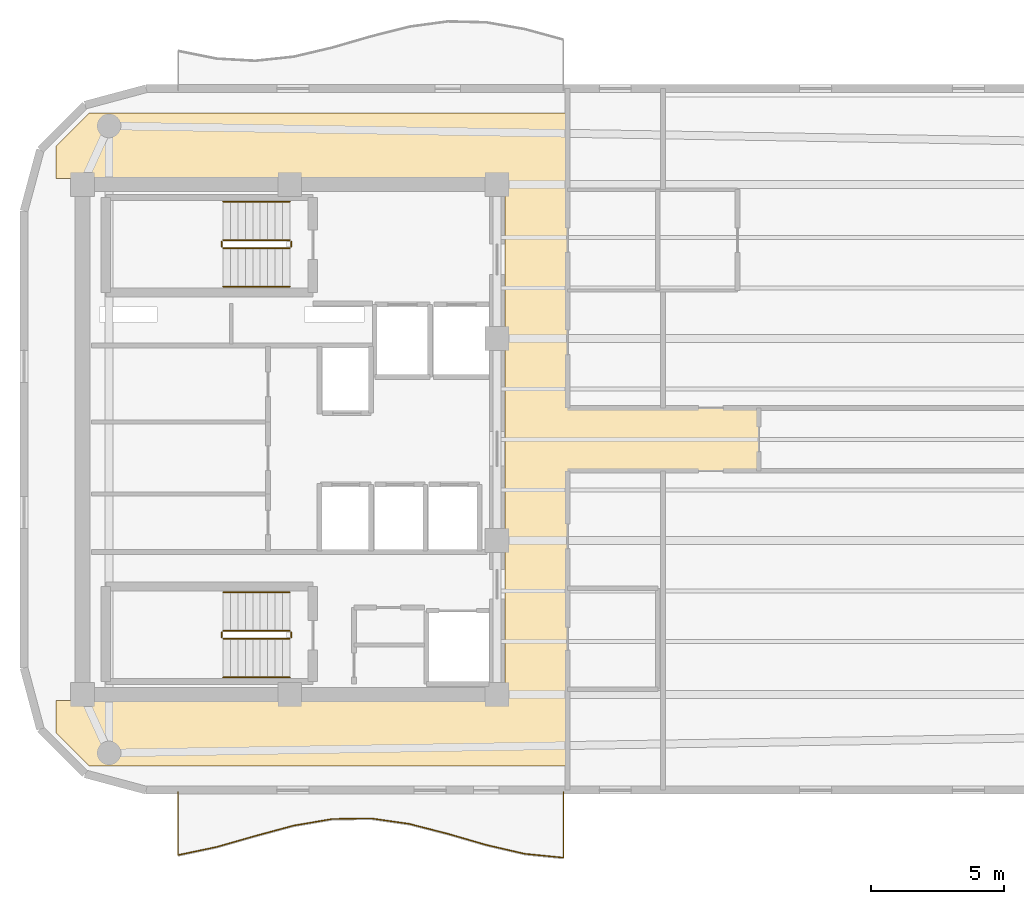
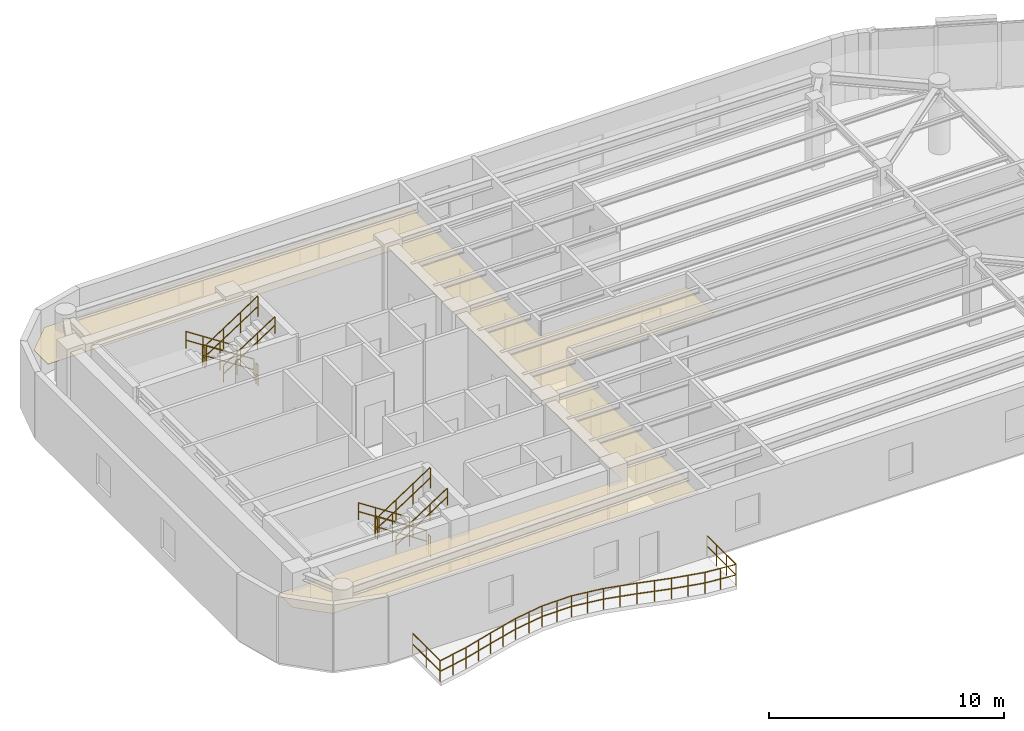
# One storey, part 12 of 13: 13 railings, 1 covering.
"""IFC4 building model written with IfcOpenShell, lengths in metres."""

from ifc_helpers import new_model, si_unit, direction, frame, origin, origin_2d, place, context, subcontext, project, spatial, polyline, circle, outline, extrude, material, layer, layer_set, type_object, element, save


model = new_model("IFC4")

# Units and contexts
model_context = context("Model", 3, precision=1e-05, world=origin(), true_north=direction((0.0, 1.0)))
body_context = subcontext(model_context, "Body", "Model", "MODEL_VIEW")
ifc_project = project(units=[si_unit("LENGTHUNIT", "METRE"), si_unit("AREAUNIT", "SQUARE_METRE"), si_unit("VOLUMEUNIT", "CUBIC_METRE"), si_unit("PLANEANGLEUNIT", "RADIAN"), si_unit("MASSUNIT", "GRAM", prefix="KILO")], contexts=[model_context])

# Site, building, storey
site_placement = place(None, origin())
site = spatial("IfcSite", under=ifc_project, at=site_placement, CompositionType="ELEMENT")
building_placement = place(site_placement, origin())
building = spatial("IfcBuilding", under=site, at=building_placement, Name="An Khanh Terracotta Commons", CompositionType="ELEMENT")
storey_placement = place(building_placement, frame((0.0, 0.0, 277.050048828125)))
storey = spatial("IfcBuildingStorey", under=building, at=storey_placement, Name="L72", CompositionType="ELEMENT", Elevation=277.050048828125)

# Covering
ifc_material_1 = material(Name="Perforated Mineral-Fibre Acoustic Tile")
ifc_layer = layer(ifc_material_1, 0.02001953125, Name="Perforated Mineral-Fibre Acoustic Tile")
ifc_layer_set = layer_set([ifc_layer], Name="Perforated Mineral-Fibre Acoustic Tile")
covering_type = type_object("IfcCoveringType", Name="CEIL-ACOUSTIC-18", PredefinedType="CEILING", material=ifc_layer_set)
covering_placement = place(storey_placement, frame((0.0, 0.0, 2.64990234375)))
element("IfcCovering", 1, at=covering_placement, inside=storey, type_object=covering_type, Name="L72 Corridor Ceiling", PredefinedType="CEILING", context=body_context, shape_type="SweptSolid", body=[
    extrude(outline(polyline([(21.84912109375, 11.719970703125), (20.60009765625, 12.968994140625), (20.60009765625, 14.179931640625), (37.5, 14.179931640625), (37.5, 33.820068359375), (20.60009765625, 33.820068359375), (20.60009765625, 35.031005859375), (21.84912109375, 36.280029296875), (37.5, 36.280029296875), (39.85009765625, 36.280029296875), (39.85009765625, 33.820068359375), (39.85009765625, 25.179931640625), (47.050048828125, 25.179931640625), (47.050048828125, 22.820068359375), (39.85009765625, 22.820068359375), (39.85009765625, 14.179931640625), (39.85009765625, 11.719970703125), (37.5, 11.719970703125), (21.84912109375, 11.719970703125)])), origin(), (0.0, 0.0, 1.0), 0.02001953125),
])

# Railings
ifc_material_2 = material(Name="Brushed Stainless Steel 316", Category="steel")
railing_type_1 = type_object("IfcRailingType", Name="RAIL-BALUSTRADE-1100", PredefinedType="BALUSTRADE", material=ifc_material_2)
railing_1_placement = place(storey_placement, frame((25.199951171875, 10.739990234375, 0.0)))
element("IfcRailing", 2, at=railing_1_placement, inside=storey, type_object=railing_type_1, Name="L72 S Wave Balcony Guard Balustrade", PredefinedType="BALUSTRADE", context=body_context, shape_type="SweptSolid", body=[
    extrude(circle(Radius=0.02392578125, at=origin_2d()), frame((0.0, 0.0, 1.076171875), z_axis=(0.0, -1.0, 0.0), x_axis=(1.0, 0.0, 0.0)), (0.0, 0.0, 1.0), 2.3798828125),
    extrude(circle(Radius=0.02392578125, at=origin_2d()), frame((0.0, 0.0, 0.52587890625), z_axis=(0.0, -1.0, 0.0), x_axis=(1.0, 0.0, 0.0)), (0.0, 0.0, 1.0), 2.3798828125),
    extrude(circle(Radius=0.02392578125, at=origin_2d()), frame((0.0, -2.3798828125, 1.076171875), z_axis=(0.978593469626, 0.20580286977, 0.0), x_axis=(-0.20580286977, 0.978593469626, 0.0)), (0.0, 0.0, 1.0), 1.481689453125),
    extrude(circle(Radius=0.02392578125, at=origin_2d()), frame((0.0, -2.3798828125, 0.52587890625), z_axis=(0.978593469626, 0.20580286977, 0.0), x_axis=(-0.20580286977, 0.978593469626, 0.0)), (0.0, 0.0, 1.0), 1.481689453125),
    extrude(circle(Radius=0.02392578125, at=origin_2d()), frame((1.449951171875, -2.074951171875, 1.076171875), z_axis=(0.961572802146, 0.274550079535, 0.0), x_axis=(-0.274550079535, 0.961572802146, 0.0)), (0.0, 0.0, 1.0), 1.508056640625),
    extrude(circle(Radius=0.02392578125, at=origin_2d()), frame((1.449951171875, -2.074951171875, 0.52587890625), z_axis=(0.961572802146, 0.274550079535, 0.0), x_axis=(-0.274550079535, 0.961572802146, 0.0)), (0.0, 0.0, 1.0), 1.508056640625),
    extrude(circle(Radius=0.02392578125, at=origin_2d()), frame((2.900146484375, -1.660888671875, 1.076171875), z_axis=(0.965532515562, 0.260282464626, 0.0), x_axis=(-0.260282464626, 0.965532515562, 0.0)), (0.0, 0.0, 1.0), 1.501708984375),
    extrude(circle(Radius=0.02392578125, at=origin_2d()), frame((2.900146484375, -1.660888671875, 0.52587890625), z_axis=(0.965532515562, 0.260282464626, 0.0), x_axis=(-0.260282464626, 0.965532515562, 0.0)), (0.0, 0.0, 1.0), 1.501708984375),
    extrude(circle(Radius=0.02392578125, at=origin_2d()), frame((4.35009765625, -1.27001953125, 1.076171875), z_axis=(0.985790775199, 0.167977818572, 0.0), x_axis=(-0.167977818572, 0.985790775199, 0.0)), (0.0, 0.0, 1.0), 1.470947265625),
    extrude(circle(Radius=0.02392578125, at=origin_2d()), frame((4.35009765625, -1.27001953125, 0.52587890625), z_axis=(0.985790775199, 0.167977818572, 0.0), x_axis=(-0.167977818572, 0.985790775199, 0.0)), (0.0, 0.0, 1.0), 1.470947265625),
    extrude(circle(Radius=0.02392578125, at=origin_2d()), frame((5.800048828125, -1.02294921875, 1.076171875), z_axis=(0.999874767378, 0.015825598271, 0.0), x_axis=(-0.015825598271, 0.999874767378, 0.0)), (0.0, 0.0, 1.0), 1.4501953125),
    extrude(circle(Radius=0.02392578125, at=origin_2d()), frame((5.800048828125, -1.02294921875, 0.52587890625), z_axis=(0.999874767378, 0.015825598271, 0.0), x_axis=(-0.015825598271, 0.999874767378, 0.0)), (0.0, 0.0, 1.0), 1.4501953125),
    extrude(circle(Radius=0.02392578125, at=origin_2d()), frame((7.25, -1.0, 1.076171875), z_axis=(0.98995949246, -0.141351346962, 0.0), x_axis=(0.141351346962, 0.98995949246, 0.0)), (0.0, 0.0, 1.0), 1.464599609375),
    extrude(circle(Radius=0.02392578125, at=origin_2d()), frame((7.25, -1.0, 0.52587890625), z_axis=(0.98995949246, -0.141351346962, 0.0), x_axis=(0.141351346962, 0.98995949246, 0.0)), (0.0, 0.0, 1.0), 1.464599609375),
    extrude(circle(Radius=0.02392578125, at=origin_2d()), frame((8.699951171875, -1.20703125, 1.076171875), z_axis=(0.96862764063, -0.248516586586, 0.0), x_axis=(0.248516586586, 0.96862764063, 0.0)), (0.0, 0.0, 1.0), 1.4970703125),
    extrude(circle(Radius=0.02392578125, at=origin_2d()), frame((8.699951171875, -1.20703125, 0.52587890625), z_axis=(0.96862764063, -0.248516586586, 0.0), x_axis=(0.248516586586, 0.96862764063, 0.0)), (0.0, 0.0, 1.0), 1.4970703125),
    extrude(circle(Radius=0.02392578125, at=origin_2d()), frame((10.150146484375, -1.5791015625, 1.076171875), z_axis=(0.960529016595, -0.278179812854, 0.0), x_axis=(0.278179812854, 0.960529016595, 0.0)), (0.0, 0.0, 1.0), 1.509521484375),
    extrude(circle(Radius=0.02392578125, at=origin_2d()), frame((10.150146484375, -1.5791015625, 0.52587890625), z_axis=(0.960529016595, -0.278179812854, 0.0), x_axis=(0.278179812854, 0.960529016595, 0.0)), (0.0, 0.0, 1.0), 1.509521484375),
    extrude(circle(Radius=0.02392578125, at=origin_2d()), frame((11.60009765625, -1.9990234375, 1.076171875), z_axis=(0.974338633772, -0.225087153651, 0.0), x_axis=(0.225087153651, 0.974338633772, 0.0)), (0.0, 0.0, 1.0), 1.488037109375),
    extrude(circle(Radius=0.02392578125, at=origin_2d()), frame((11.60009765625, -1.9990234375, 0.52587890625), z_axis=(0.974338633772, -0.225087153651, 0.0), x_axis=(0.225087153651, 0.974338633772, 0.0)), (0.0, 0.0, 1.0), 1.488037109375),
    extrude(circle(Radius=0.02392578125, at=origin_2d()), frame((13.050048828125, -2.333984375, 1.076171875), z_axis=(0.995101678838, -0.098856708287, 0.0), x_axis=(0.098856708287, 0.995101678838, 0.0)), (0.0, 0.0, 1.0), 1.45703125),
    extrude(circle(Radius=0.02392578125, at=origin_2d()), frame((13.050048828125, -2.333984375, 0.52587890625), z_axis=(0.995101678838, -0.098856708287, 0.0), x_axis=(0.098856708287, 0.995101678838, 0.0)), (0.0, 0.0, 1.0), 1.45703125),
    extrude(circle(Radius=0.02392578125, at=origin_2d()), frame((14.5, -2.47802734375, 1.076171875), z_axis=(0.0, 1.0, 0.0), x_axis=(-1.0, 0.0, 0.0)), (0.0, 0.0, 1.0), 2.47802734375),
    extrude(circle(Radius=0.02392578125, at=origin_2d()), frame((14.5, -2.47802734375, 0.52587890625), z_axis=(0.0, 1.0, 0.0), x_axis=(-1.0, 0.0, 0.0)), (0.0, 0.0, 1.0), 2.47802734375),
    extrude(circle(Radius=0.02099609375, at=origin_2d()), origin(), (0.0, 0.0, 1.0), 1.052001953125),
    extrude(circle(Radius=0.02099609375, at=origin_2d()), frame((0.0, -1.18994140625, 0.0)), (0.0, 0.0, 1.0), 1.052001953125),
    extrude(circle(Radius=0.02099609375, at=origin_2d()), frame((0.0, -2.3798828125, 0.0)), (0.0, 0.0, 1.0), 1.052001953125),
    extrude(circle(Radius=0.02099609375, at=origin_2d()), frame((0.72509765625, -2.2275390625, 0.0)), (0.0, 0.0, 1.0), 1.052001953125),
    extrude(circle(Radius=0.02099609375, at=origin_2d()), frame((1.449951171875, -2.074951171875, 0.0)), (0.0, 0.0, 1.0), 1.052001953125),
    extrude(circle(Radius=0.02099609375, at=origin_2d()), frame((2.175048828125, -1.867919921875, 0.0)), (0.0, 0.0, 1.0), 1.052001953125),
    extrude(circle(Radius=0.02099609375, at=origin_2d()), frame((2.900146484375, -1.660888671875, 0.0)), (0.0, 0.0, 1.0), 1.052001953125),
    extrude(circle(Radius=0.02099609375, at=origin_2d()), frame((3.625, -1.46533203125, 0.0)), (0.0, 0.0, 1.0), 1.052001953125),
    extrude(circle(Radius=0.02099609375, at=origin_2d()), frame((4.35009765625, -1.27001953125, 0.0)), (0.0, 0.0, 1.0), 1.052001953125),
    extrude(circle(Radius=0.02099609375, at=origin_2d()), frame((5.0751953125, -1.146484375, 0.0)), (0.0, 0.0, 1.0), 1.052001953125),
    extrude(circle(Radius=0.02099609375, at=origin_2d()), frame((5.800048828125, -1.02294921875, 0.0)), (0.0, 0.0, 1.0), 1.052001953125),
    extrude(circle(Radius=0.02099609375, at=origin_2d()), frame((6.52490234375, -1.011474609375, 0.0)), (0.0, 0.0, 1.0), 1.052001953125),
    extrude(circle(Radius=0.02099609375, at=origin_2d()), frame((7.25, -1.0, 0.0)), (0.0, 0.0, 1.0), 1.052001953125),
    extrude(circle(Radius=0.02099609375, at=origin_2d()), frame((7.97509765625, -1.103515625, 0.0)), (0.0, 0.0, 1.0), 1.052001953125),
    extrude(circle(Radius=0.02099609375, at=origin_2d()), frame((8.699951171875, -1.20703125, 0.0)), (0.0, 0.0, 1.0), 1.052001953125),
    extrude(circle(Radius=0.02099609375, at=origin_2d()), frame((9.425048828125, -1.39306640625, 0.0)), (0.0, 0.0, 1.0), 1.052001953125),
    extrude(circle(Radius=0.02099609375, at=origin_2d()), frame((10.150146484375, -1.5791015625, 0.0)), (0.0, 0.0, 1.0), 1.052001953125),
    extrude(circle(Radius=0.02099609375, at=origin_2d()), frame((10.875, -1.7890625, 0.0)), (0.0, 0.0, 1.0), 1.052001953125),
    extrude(circle(Radius=0.02099609375, at=origin_2d()), frame((11.60009765625, -1.9990234375, 0.0)), (0.0, 0.0, 1.0), 1.052001953125),
    extrude(circle(Radius=0.02099609375, at=origin_2d()), frame((12.3251953125, -2.16650390625, 0.0)), (0.0, 0.0, 1.0), 1.052001953125),
    extrude(circle(Radius=0.02099609375, at=origin_2d()), frame((13.050048828125, -2.333984375, 0.0)), (0.0, 0.0, 1.0), 1.052001953125),
    extrude(circle(Radius=0.02099609375, at=origin_2d()), frame((13.77490234375, -2.406005859375, 0.0)), (0.0, 0.0, 1.0), 1.052001953125),
    extrude(circle(Radius=0.02099609375, at=origin_2d()), frame((14.5, -2.47802734375, 0.0)), (0.0, 0.0, 1.0), 1.052001953125),
    extrude(circle(Radius=0.02099609375, at=origin_2d()), frame((14.5, -1.652099609375, 0.0)), (0.0, 0.0, 1.0), 1.052001953125),
    extrude(circle(Radius=0.02099609375, at=origin_2d()), frame((14.5, -0.825927734375, 0.0)), (0.0, 0.0, 1.0), 1.052001953125),
    extrude(circle(Radius=0.02099609375, at=origin_2d()), frame((14.5, 0.0, 0.0)), (0.0, 0.0, 1.0), 1.052001953125),
])
railing_type_2 = type_object("IfcRailingType", Name="RAIL-HANDRAIL-900", PredefinedType="HANDRAIL", material=ifc_material_2)
railing_2_placement = place(storey_placement, frame((29.409912109375, 32.949951171875, 0.182373046875)))
element("IfcRailing", 3, at=railing_2_placement, inside=storey, type_object=railing_type_2, Name="L72 ST-01 stair handrail 1", PredefinedType="HANDRAIL", context=body_context, shape_type="SweptSolid", body=[
    extrude(circle(Radius=0.02392578125, at=origin_2d()), frame((0.0, 0.0, 0.8759765625), z_axis=(-0.837749427056, 0.0, 0.546054848405), x_axis=(0.0, -1.0, 0.0)), (0.0, 0.0, 1.0), 3.008056640625),
    extrude(circle(Radius=0.02392578125, at=origin_2d()), frame((0.0, 0.0, 0.42578125), z_axis=(-0.837749427056, 0.0, 0.546054848405), x_axis=(0.0, -1.0, 0.0)), (0.0, 0.0, 1.0), 3.008056640625),
    extrude(circle(Radius=0.02099609375, at=origin_2d()), origin(), (0.0, 0.0, 1.0), 0.851806640625),
    extrude(circle(Radius=0.02099609375, at=origin_2d()), frame((-0.840087890625, 0.0, 0.547607421875)), (0.0, 0.0, 1.0), 0.851806640625),
    extrude(circle(Radius=0.02099609375, at=origin_2d()), frame((-1.679931640625, 0.0, 1.094970703125)), (0.0, 0.0, 1.0), 0.851806640625),
    extrude(circle(Radius=0.02099609375, at=origin_2d()), frame((-2.52001953125, 0.0, 1.642578125)), (0.0, 0.0, 1.0), 0.851806640625),
])
railing_3_placement = place(storey_placement, frame((26.889892578125, 29.75, 2.007568359375)))
element("IfcRailing", 4, at=railing_3_placement, inside=storey, type_object=railing_type_2, Name="L72 ST-01 stair handrail 2", PredefinedType="HANDRAIL", context=body_context, shape_type="SweptSolid", body=[
    extrude(circle(Radius=0.02392578125, at=origin_2d()), frame((0.0, 0.0, 0.8759765625), z_axis=(0.837786554691, 0.0, 0.545997883492), x_axis=(0.0, 1.0, 0.0)), (0.0, 0.0, 1.0), 3.008056640625),
    extrude(circle(Radius=0.02392578125, at=origin_2d()), frame((0.0, 0.0, 0.42578125), z_axis=(0.837786554691, 0.0, 0.545997883492), x_axis=(0.0, 1.0, 0.0)), (0.0, 0.0, 1.0), 3.008056640625),
    extrude(circle(Radius=0.02099609375, at=origin_2d()), origin(), (0.0, 0.0, 1.0), 0.851806640625),
    extrude(circle(Radius=0.02099609375, at=origin_2d()), frame((0.840087890625, 0.0, 0.54736328125)), (0.0, 0.0, 1.0), 0.851806640625),
    extrude(circle(Radius=0.02099609375, at=origin_2d()), frame((1.679931640625, 0.0, 1.094970703125)), (0.0, 0.0, 1.0), 0.851806640625),
    extrude(circle(Radius=0.02099609375, at=origin_2d()), frame((2.52001953125, 0.0, 1.642333984375)), (0.0, 0.0, 1.0), 0.851806640625),
])
railing_4_placement = place(storey_placement, frame((29.409912109375, 18.25, 0.182373046875)))
element("IfcRailing", 5, at=railing_4_placement, inside=storey, type_object=railing_type_2, Name="L72 ST-02 stair handrail 1", PredefinedType="HANDRAIL", context=body_context, shape_type="SweptSolid", body=[
    extrude(circle(Radius=0.02392578125, at=origin_2d()), frame((0.0, 0.0, 0.8759765625), z_axis=(-0.837749427056, 0.0, 0.546054848405), x_axis=(0.0, -1.0, 0.0)), (0.0, 0.0, 1.0), 3.008056640625),
    extrude(circle(Radius=0.02392578125, at=origin_2d()), frame((0.0, 0.0, 0.42578125), z_axis=(-0.837749427056, 0.0, 0.546054848405), x_axis=(0.0, -1.0, 0.0)), (0.0, 0.0, 1.0), 3.008056640625),
    extrude(circle(Radius=0.02099609375, at=origin_2d()), origin(), (0.0, 0.0, 1.0), 0.851806640625),
    extrude(circle(Radius=0.02099609375, at=origin_2d()), frame((-0.840087890625, 0.0, 0.547607421875)), (0.0, 0.0, 1.0), 0.851806640625),
    extrude(circle(Radius=0.02099609375, at=origin_2d()), frame((-1.679931640625, 0.0, 1.094970703125)), (0.0, 0.0, 1.0), 0.851806640625),
    extrude(circle(Radius=0.02099609375, at=origin_2d()), frame((-2.52001953125, 0.0, 1.642578125)), (0.0, 0.0, 1.0), 0.851806640625),
])
railing_5_placement = place(storey_placement, frame((26.889892578125, 15.050048828125, 2.007568359375)))
element("IfcRailing", 6, at=railing_5_placement, inside=storey, type_object=railing_type_2, Name="L72 ST-02 stair handrail 2", PredefinedType="HANDRAIL", context=body_context, shape_type="SweptSolid", body=[
    extrude(circle(Radius=0.02392578125, at=origin_2d()), frame((0.0, 0.0, 0.8759765625), z_axis=(0.837786554691, 0.0, 0.545997883492), x_axis=(0.0, 1.0, 0.0)), (0.0, 0.0, 1.0), 3.008056640625),
    extrude(circle(Radius=0.02392578125, at=origin_2d()), frame((0.0, 0.0, 0.42578125), z_axis=(0.837786554691, 0.0, 0.545997883492), x_axis=(0.0, 1.0, 0.0)), (0.0, 0.0, 1.0), 3.008056640625),
    extrude(circle(Radius=0.02099609375, at=origin_2d()), origin(), (0.0, 0.0, 1.0), 0.851806640625),
    extrude(circle(Radius=0.02099609375, at=origin_2d()), frame((0.840087890625, 0.0, 0.54736328125)), (0.0, 0.0, 1.0), 0.851806640625),
    extrude(circle(Radius=0.02099609375, at=origin_2d()), frame((1.679931640625, 0.0, 1.094970703125)), (0.0, 0.0, 1.0), 0.851806640625),
    extrude(circle(Radius=0.02099609375, at=origin_2d()), frame((2.52001953125, 0.0, 1.642333984375)), (0.0, 0.0, 1.0), 0.851806640625),
])
ifc_material_3 = material(Name="Powder-Coated Steel S355J2", Category="steel")
railing_type_3 = type_object("IfcRailingType", Name="RAIL-STAIR-GUARD-1100", PredefinedType="BALUSTRADE", material=ifc_material_3)
railing_6_placement = place(storey_placement, frame((29.409912109375, 31.5, 0.182373046875)))
element("IfcRailing", 7, at=railing_6_placement, inside=storey, type_object=railing_type_3, Name="L72 ST-01 stair guard 1", PredefinedType="BALUSTRADE", context=body_context, shape_type="SweptSolid", body=[
    extrude(circle(Radius=0.02392578125, at=origin_2d()), frame((0.0, 0.0, 1.076171875), z_axis=(-0.837749427056, 0.0, 0.546054848405), x_axis=(0.0, -1.0, 0.0)), (0.0, 0.0, 1.0), 3.008056640625),
    extrude(circle(Radius=0.02392578125, at=origin_2d()), frame((0.0, 0.0, 0.52587890625), z_axis=(-0.837749427056, 0.0, 0.546054848405), x_axis=(0.0, -1.0, 0.0)), (0.0, 0.0, 1.0), 3.008056640625),
    extrude(circle(Radius=0.02099609375, at=origin_2d()), origin(), (0.0, 0.0, 1.0), 1.052001953125),
    extrude(circle(Radius=0.02099609375, at=origin_2d()), frame((-0.840087890625, 0.0, 0.547607421875)), (0.0, 0.0, 1.0), 1.052001953125),
    extrude(circle(Radius=0.02099609375, at=origin_2d()), frame((-1.679931640625, 0.0, 1.094970703125)), (0.0, 0.0, 1.0), 1.052001953125),
    extrude(circle(Radius=0.02099609375, at=origin_2d()), frame((-2.52001953125, 0.0, 1.642578125)), (0.0, 0.0, 1.0), 1.052001953125),
])
railing_7_placement = place(storey_placement, frame((26.840087890625, 31.449951171875, 1.824951171875)))
element("IfcRailing", 8, at=railing_7_placement, inside=storey, type_object=railing_type_3, Name="L72 ST-01 stair guard 2", PredefinedType="BALUSTRADE", context=body_context, shape_type="SweptSolid", body=[
    extrude(circle(Radius=0.02392578125, at=origin_2d()), frame((0.0, 0.0, 1.076171875), z_axis=(0.0, -1.0, 0.0), x_axis=(1.0, 0.0, 0.0)), (0.0, 0.0, 1.0), 0.199951171875),
    extrude(circle(Radius=0.02392578125, at=origin_2d()), frame((0.0, 0.0, 0.52587890625), z_axis=(0.0, -1.0, 0.0), x_axis=(1.0, 0.0, 0.0)), (0.0, 0.0, 1.0), 0.199951171875),
    extrude(circle(Radius=0.02099609375, at=origin_2d()), origin(), (0.0, 0.0, 1.0), 1.052001953125),
    extrude(circle(Radius=0.02099609375, at=origin_2d()), frame((0.0, -0.199951171875, 0.0)), (0.0, 0.0, 1.0), 1.052001953125),
])
railing_8_placement = place(storey_placement, frame((26.889892578125, 31.199951171875, 2.007568359375)))
element("IfcRailing", 9, at=railing_8_placement, inside=storey, type_object=railing_type_3, Name="L72 ST-01 stair guard 3", PredefinedType="BALUSTRADE", context=body_context, shape_type="SweptSolid", body=[
    extrude(circle(Radius=0.02392578125, at=origin_2d()), frame((0.0, 0.0, 1.076171875), z_axis=(0.837786554691, 0.0, 0.545997883492), x_axis=(0.0, 1.0, 0.0)), (0.0, 0.0, 1.0), 3.008056640625),
    extrude(circle(Radius=0.02392578125, at=origin_2d()), frame((0.0, 0.0, 0.52587890625), z_axis=(0.837786554691, 0.0, 0.545997883492), x_axis=(0.0, 1.0, 0.0)), (0.0, 0.0, 1.0), 3.008056640625),
    extrude(circle(Radius=0.02099609375, at=origin_2d()), origin(), (0.0, 0.0, 1.0), 1.052001953125),
    extrude(circle(Radius=0.02099609375, at=origin_2d()), frame((0.840087890625, 0.0, 0.54736328125)), (0.0, 0.0, 1.0), 1.052001953125),
    extrude(circle(Radius=0.02099609375, at=origin_2d()), frame((1.679931640625, 0.0, 1.094970703125)), (0.0, 0.0, 1.0), 1.052001953125),
    extrude(circle(Radius=0.02099609375, at=origin_2d()), frame((2.52001953125, 0.0, 1.642333984375)), (0.0, 0.0, 1.0), 1.052001953125),
])
railing_9_placement = place(storey_placement, frame((29.4599609375, 31.449951171875, 0.0)))
element("IfcRailing", 10, at=railing_9_placement, inside=storey, type_object=railing_type_3, Name="L72 ST-01 stair guard 4", PredefinedType="BALUSTRADE", context=body_context, shape_type="SweptSolid", body=[
    extrude(circle(Radius=0.02392578125, at=origin_2d()), frame((0.0, 0.0, 1.076171875), z_axis=(0.0, -1.0, 0.0), x_axis=(1.0, 0.0, 0.0)), (0.0, 0.0, 1.0), 0.199951171875),
    extrude(circle(Radius=0.02392578125, at=origin_2d()), frame((0.0, 0.0, 0.52587890625), z_axis=(0.0, -1.0, 0.0), x_axis=(1.0, 0.0, 0.0)), (0.0, 0.0, 1.0), 0.199951171875),
    extrude(circle(Radius=0.02099609375, at=origin_2d()), origin(), (0.0, 0.0, 1.0), 1.052001953125),
    extrude(circle(Radius=0.02099609375, at=origin_2d()), frame((0.0, -0.199951171875, 0.0)), (0.0, 0.0, 1.0), 1.052001953125),
])
railing_10_placement = place(storey_placement, frame((29.409912109375, 16.800048828125, 0.182373046875)))
element("IfcRailing", 11, at=railing_10_placement, inside=storey, type_object=railing_type_3, Name="L72 ST-02 stair guard 1", PredefinedType="BALUSTRADE", context=body_context, shape_type="SweptSolid", body=[
    extrude(circle(Radius=0.02392578125, at=origin_2d()), frame((0.0, 0.0, 1.076171875), z_axis=(-0.837749427056, 0.0, 0.546054848405), x_axis=(0.0, -1.0, 0.0)), (0.0, 0.0, 1.0), 3.008056640625),
    extrude(circle(Radius=0.02392578125, at=origin_2d()), frame((0.0, 0.0, 0.52587890625), z_axis=(-0.837749427056, 0.0, 0.546054848405), x_axis=(0.0, -1.0, 0.0)), (0.0, 0.0, 1.0), 3.008056640625),
    extrude(circle(Radius=0.02099609375, at=origin_2d()), origin(), (0.0, 0.0, 1.0), 1.052001953125),
    extrude(circle(Radius=0.02099609375, at=origin_2d()), frame((-0.840087890625, 0.0, 0.547607421875)), (0.0, 0.0, 1.0), 1.052001953125),
    extrude(circle(Radius=0.02099609375, at=origin_2d()), frame((-1.679931640625, 0.0, 1.094970703125)), (0.0, 0.0, 1.0), 1.052001953125),
    extrude(circle(Radius=0.02099609375, at=origin_2d()), frame((-2.52001953125, 0.0, 1.642578125)), (0.0, 0.0, 1.0), 1.052001953125),
])
railing_11_placement = place(storey_placement, frame((26.840087890625, 16.75, 1.824951171875)))
element("IfcRailing", 12, at=railing_11_placement, inside=storey, type_object=railing_type_3, Name="L72 ST-02 stair guard 2", PredefinedType="BALUSTRADE", context=body_context, shape_type="SweptSolid", body=[
    extrude(circle(Radius=0.02392578125, at=origin_2d()), frame((0.0, 0.0, 1.076171875), z_axis=(0.0, -1.0, 0.0), x_axis=(1.0, 0.0, 0.0)), (0.0, 0.0, 1.0), 0.199951171875),
    extrude(circle(Radius=0.02392578125, at=origin_2d()), frame((0.0, 0.0, 0.52587890625), z_axis=(0.0, -1.0, 0.0), x_axis=(1.0, 0.0, 0.0)), (0.0, 0.0, 1.0), 0.199951171875),
    extrude(circle(Radius=0.02099609375, at=origin_2d()), origin(), (0.0, 0.0, 1.0), 1.052001953125),
    extrude(circle(Radius=0.02099609375, at=origin_2d()), frame((0.0, -0.199951171875, 0.0)), (0.0, 0.0, 1.0), 1.052001953125),
])
railing_12_placement = place(storey_placement, frame((26.889892578125, 16.5, 2.007568359375)))
element("IfcRailing", 13, at=railing_12_placement, inside=storey, type_object=railing_type_3, Name="L72 ST-02 stair guard 3", PredefinedType="BALUSTRADE", context=body_context, shape_type="SweptSolid", body=[
    extrude(circle(Radius=0.02392578125, at=origin_2d()), frame((0.0, 0.0, 1.076171875), z_axis=(0.837786554691, 0.0, 0.545997883492), x_axis=(0.0, 1.0, 0.0)), (0.0, 0.0, 1.0), 3.008056640625),
    extrude(circle(Radius=0.02392578125, at=origin_2d()), frame((0.0, 0.0, 0.52587890625), z_axis=(0.837786554691, 0.0, 0.545997883492), x_axis=(0.0, 1.0, 0.0)), (0.0, 0.0, 1.0), 3.008056640625),
    extrude(circle(Radius=0.02099609375, at=origin_2d()), origin(), (0.0, 0.0, 1.0), 1.052001953125),
    extrude(circle(Radius=0.02099609375, at=origin_2d()), frame((0.840087890625, 0.0, 0.54736328125)), (0.0, 0.0, 1.0), 1.052001953125),
    extrude(circle(Radius=0.02099609375, at=origin_2d()), frame((1.679931640625, 0.0, 1.094970703125)), (0.0, 0.0, 1.0), 1.052001953125),
    extrude(circle(Radius=0.02099609375, at=origin_2d()), frame((2.52001953125, 0.0, 1.642333984375)), (0.0, 0.0, 1.0), 1.052001953125),
])
railing_13_placement = place(storey_placement, frame((29.4599609375, 16.75, 0.0)))
element("IfcRailing", 14, at=railing_13_placement, inside=storey, type_object=railing_type_3, Name="L72 ST-02 stair guard 4", PredefinedType="BALUSTRADE", context=body_context, shape_type="SweptSolid", body=[
    extrude(circle(Radius=0.02392578125, at=origin_2d()), frame((0.0, 0.0, 1.076171875), z_axis=(0.0, -1.0, 0.0), x_axis=(1.0, 0.0, 0.0)), (0.0, 0.0, 1.0), 0.199951171875),
    extrude(circle(Radius=0.02392578125, at=origin_2d()), frame((0.0, 0.0, 0.52587890625), z_axis=(0.0, -1.0, 0.0), x_axis=(1.0, 0.0, 0.0)), (0.0, 0.0, 1.0), 0.199951171875),
    extrude(circle(Radius=0.02099609375, at=origin_2d()), origin(), (0.0, 0.0, 1.0), 1.052001953125),
    extrude(circle(Radius=0.02099609375, at=origin_2d()), frame((0.0, -0.199951171875, 0.0)), (0.0, 0.0, 1.0), 1.052001953125),
])

save(model, "model.ifc")
